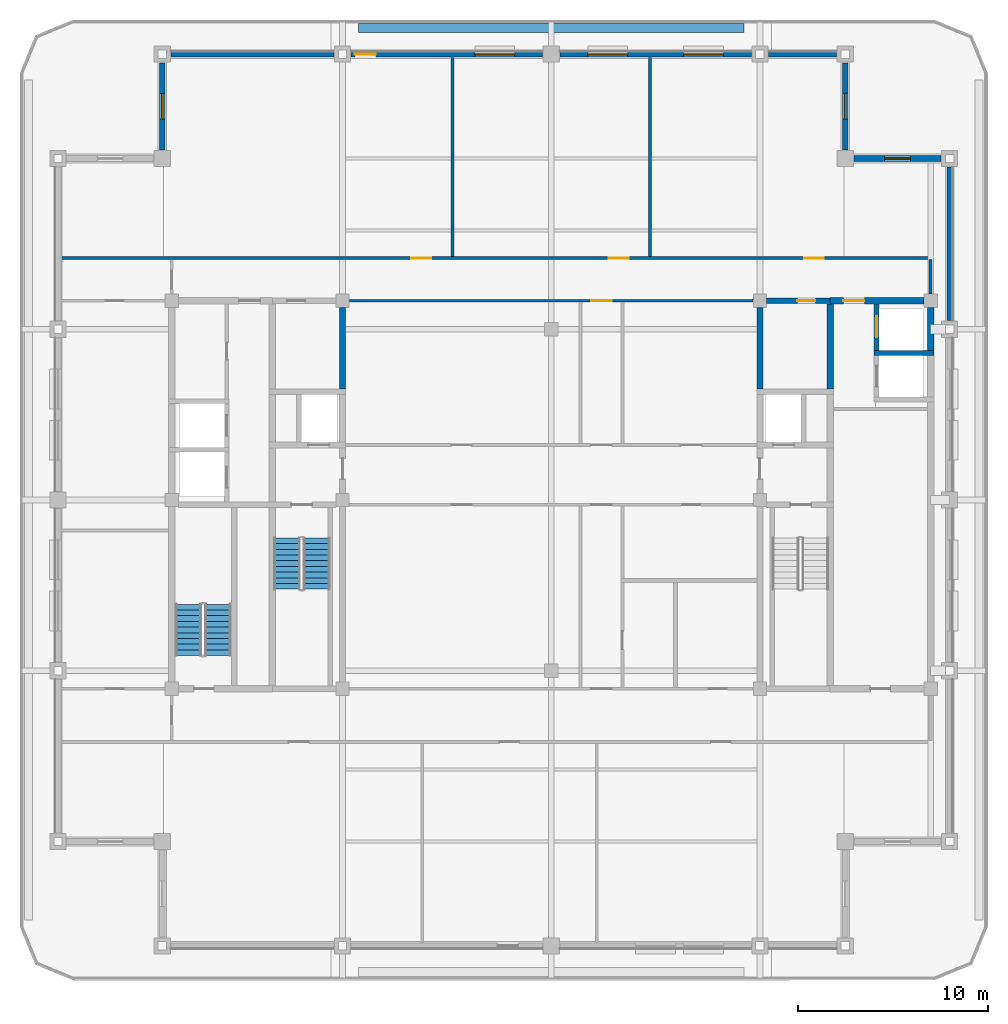
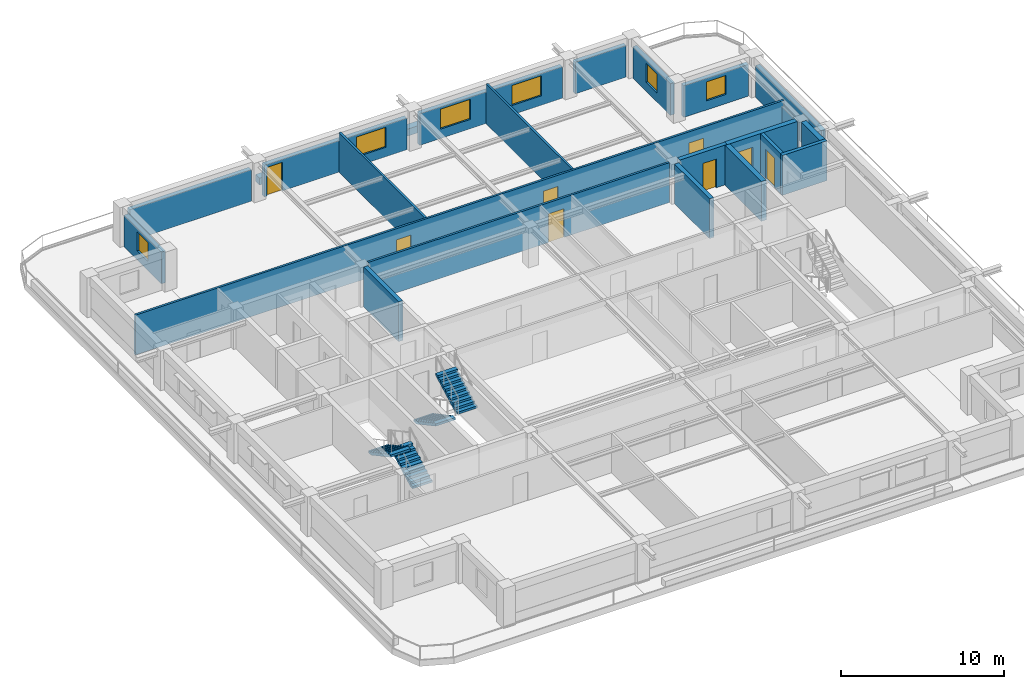
# One storey, part 5 of 11: 22 walls, 8 doors, 6 windows, 4 stair flights, 14 openings, 2 elements without a shape of their own.
"""IFC4 building model written with IfcOpenShell, lengths in metres."""

from ifc_helpers import new_model, si_unit, direction, frame, frame_2d, origin, place, context, subcontext, project, spatial, polyline, rectangle, outline, extrude, material, layer, layer_set, type_object, element, fill, aggregate, save


model = new_model("IFC4")

# Units and contexts
model_context = context("Model", 3, precision=1e-05, world=origin(), true_north=direction((0.0, 1.0)))
body_context = subcontext(model_context, "Body", "Model", "MODEL_VIEW")
ifc_project = project(units=[si_unit("LENGTHUNIT", "METRE"), si_unit("AREAUNIT", "SQUARE_METRE"), si_unit("VOLUMEUNIT", "CUBIC_METRE"), si_unit("PLANEANGLEUNIT", "RADIAN"), si_unit("MASSUNIT", "GRAM", prefix="KILO")], contexts=[model_context])

# Site, building, storey
site_placement = place(None, origin())
site = spatial("IfcSite", under=ifc_project, at=site_placement, CompositionType="ELEMENT")
building_placement = place(site_placement, origin())
building = spatial("IfcBuilding", under=site, at=building_placement, Name="Zulmaris Gate Convention Tower", CompositionType="ELEMENT")
storey_placement = place(building_placement, frame((0.0, 0.0, 264.119873046875)))
storey = spatial("IfcBuildingStorey", under=building, at=storey_placement, Name="L70", CompositionType="ELEMENT", Elevation=264.119873046875)

# Wall
ifc_material_1 = material(Name="Concrete C50/60", Category="concrete")
ifc_layer_1 = layer(ifc_material_1, 0.25, Name="Concrete C50/60")
ifc_layer_set_1 = layer_set([ifc_layer_1], Name="Concrete C50/60")
wall_type_1 = type_object("IfcWallType", Name="CORE-250", PredefinedType="SOLIDWALL", material=ifc_layer_set_1)
wall_1_placement = place(storey_placement, frame((17.02490234375, 7.75, 0.0), z_axis=(0.0, 0.0, 1.0), x_axis=(1.0, 0.0, 0.0)))
element("IfcWall", 1, at=wall_1_placement, inside=storey, type_object=wall_type_1, Name="WL-L70-014", PredefinedType="SOLIDWALL", context=body_context, shape_type="SweptSolid", body=[
    extrude(rectangle(XDim=3.150146484375, YDim=0.25, at=frame_2d((1.5751953125, 0.0))), origin(), (0.0, 0.0, 1.0), 2.980224609375),
])

# Wall, opening, door
wall_2_placement = place(storey_placement, frame((17.14990234375, 7.876953125, 0.0), z_axis=(0.0, 0.0, 1.0), x_axis=(0.0, 1.0, 0.0)))
wall_2 = element("IfcWall", 2, at=wall_2_placement, inside=storey, type_object=wall_type_1, Name="WL-L70-058", PredefinedType="SOLIDWALL", context=body_context, shape_type="SweptSolid", body=[
    extrude(rectangle(XDim=2.446044921875, YDim=0.25, at=frame_2d((1.22314453125, 0.0))), origin(), (0.0, 0.0, 1.0), 2.980224609375),
])
opening_1_placement = place(wall_2_placement, frame((0.697998046875, 0.0, 0.0)))
opening_1 = element("IfcOpeningElement", 3, at=opening_1_placement, cuts=wall_2, Name="Opening D-06", PredefinedType="OPENING", context=body_context, shape_type="SweptSolid", body=[
    extrude(rectangle(XDim=1.10009765625, YDim=2.199951171875, at=frame_2d((0.550048828125, 1.10009765625))), frame((0.0, 0.135009765625, 0.0), z_axis=(0.0, -1.0, 0.0), x_axis=(1.0, 0.0, 0.0)), (0.0, 0.0, 1.0), 0.27001953125),
])
ifc_material_2 = material(Name="Brushed Stainless Steel", Category="steel")
door_type_1 = type_object("IfcDoorType", Name="LD-1100", OperationType="NOTDEFINED", PredefinedType="DOOR", material=ifc_material_2)
door_1_placement = place(opening_1_placement, origin())
door_1 = element("IfcDoor", 4, at=door_1_placement, inside=storey, type_object=door_type_1, Name="L70 Lift Landing Door HP-02 15", OperationType="SLIDING_TO_RIGHT", OverallHeight=2.199951171875, OverallWidth=1.10009765625, PredefinedType="DOOR", context=body_context, shape_type="SweptSolid", body=[
    extrude(rectangle(XDim=1.10009765625, YDim=2.199951171875, at=frame_2d((0.550048828125, 1.10009765625))), frame((0.0, 0.02490234375, 0.0), z_axis=(0.0, -1.0, 0.0), x_axis=(1.0, 0.0, 0.0)), (0.0, 0.0, 1.0), 0.050048828125),
])
fill(opening_1, door_1)

ifc_layer_2 = layer(ifc_material_1, 0.300048828125, Name="Concrete C50/60")
ifc_layer_set_2 = layer_set([ifc_layer_2], Name="Concrete C50/60")
wall_type_2 = type_object("IfcWallType", Name="CORE-300", PredefinedType="SHEAR", material=ifc_layer_set_2)
wall_3_placement = place(storey_placement, frame((11.35400390625, 10.5, 0.0), z_axis=(0.0, 0.0, 1.0), x_axis=(1.0, 0.0, 0.0)))
wall_3 = element("IfcWall", 5, at=wall_3_placement, inside=storey, type_object=wall_type_2, Name="WL-L70-017", PredefinedType="SHEAR", context=body_context, shape_type="SweptSolid", body=[
    extrude(rectangle(XDim=3.345947265625, YDim=0.300048828125, at=frame_2d((1.6728515625, 0.0))), origin(), (0.0, 0.0, 1.0), 2.980224609375),
])
opening_2_placement = place(wall_3_placement, frame((1.62109375, 0.0, 0.0)))
opening_2 = element("IfcOpeningElement", 6, at=opening_2_placement, cuts=wall_3, Name="Opening D-11", PredefinedType="OPENING", context=body_context, shape_type="SweptSolid", body=[
    extrude(rectangle(XDim=0.949951171875, YDim=2.14990234375, at=frame_2d((0.47509765625, 1.074951171875))), frame((0.0, 0.16015625, 0.0), z_axis=(0.0, -1.0, 0.0), x_axis=(1.0, 0.0, 0.0)), (0.0, 0.0, 1.0), 0.320068359375),
])
ifc_material_3 = material(Name="Fire-Rated Timber", Category="wood")
door_type_2 = type_object("IfcDoorType", Name="DR-950-FD", OperationType="NOTDEFINED", PredefinedType="DOOR", material=ifc_material_3)
door_2_placement = place(opening_2_placement, origin())
door_2 = element("IfcDoor", 7, at=door_2_placement, inside=storey, type_object=door_type_2, Name="L70 Core Cleaners Store Door 08", OperationType="SINGLE_SWING_RIGHT", OverallHeight=2.14990234375, OverallWidth=0.949951171875, PredefinedType="DOOR", context=body_context, shape_type="SweptSolid", body=[
    extrude(rectangle(XDim=0.949951171875, YDim=2.14990234375, at=frame_2d((0.47509765625, 1.074951171875))), frame((0.0, 0.02490234375, 0.0), z_axis=(0.0, -1.0, 0.0), x_axis=(1.0, 0.0, 0.0)), (0.0, 0.0, 1.0), 0.050048828125),
])
fill(opening_2, door_2)

# Walls
for number, where, z_axis, x_axis, name in (
    (8, (-11.0, 5.85205078125, 0.0), (0.0, 0.0, 1.0), (0.0, 1.0, 0.0), "WL-L70-046"),
    (9, (11.0, 5.85205078125, 0.0), (0.0, 0.0, 1.0), (0.0, 1.0, 0.0), "WL-L70-050"),
):
    element("IfcWall", number, at=place(storey_placement, frame(where, z_axis=z_axis, x_axis=x_axis)), inside=storey, type_object=wall_type_2, Name=name, PredefinedType="SHEAR", context=body_context, shape_type="SweptSolid", body=[
        extrude(rectangle(XDim=4.2939453125, YDim=0.300048828125, at=frame_2d((2.14697265625, 0.0))), origin(), (0.0, 0.0, 1.0), 2.980224609375),
    ])

# Wall, opening, door
ifc_material_4 = material(Name="Concrete C55/67", Category="concrete")
ifc_layer_3 = layer(ifc_material_4, 0.35009765625, Name="Concrete C55/67")
ifc_layer_set_3 = layer_set([ifc_layer_3], Name="Concrete C55/67")
wall_type_3 = type_object("IfcWallType", Name="CORE-350", PredefinedType="SHEAR", material=ifc_layer_set_3)
wall_4_placement = place(storey_placement, frame((14.699951171875, 10.5, 0.0), z_axis=(0.0, 0.0, 1.0), x_axis=(1.0, 0.0, 0.0)))
wall_4 = element("IfcWall", 10, at=wall_4_placement, inside=storey, type_object=wall_type_3, Name="WL-L70-018", PredefinedType="SHEAR", context=body_context, shape_type="SweptSolid", body=[
    extrude(rectangle(XDim=4.946044921875, YDim=0.35009765625, at=frame_2d((2.47314453125, 0.0))), origin(), (0.0, 0.0, 1.0), 2.980224609375),
])
opening_3_placement = place(wall_4_placement, frame((0.699951171875, 0.0, 0.0)))
opening_3 = element("IfcOpeningElement", 11, at=opening_3_placement, cuts=wall_4, Name="Opening D-08", PredefinedType="OPENING", context=body_context, shape_type="SweptSolid", body=[
    extrude(rectangle(XDim=1.10009765625, YDim=2.14990234375, at=frame_2d((0.550048828125, 1.074951171875))), frame((0.0, 0.18505859375, 0.0), z_axis=(0.0, -1.0, 0.0), x_axis=(1.0, 0.0, 0.0)), (0.0, 0.0, 1.0), 0.3701171875),
])
ifc_material_5 = material(Name="Fire-Rated Steel", Category="steel")
door_type_3 = type_object("IfcDoorType", Name="DR-1100-FD", OperationType="NOTDEFINED", PredefinedType="DOOR", material=ifc_material_5)
door_3_placement = place(opening_3_placement, origin())
door_3 = element("IfcDoor", 12, at=door_3_placement, inside=storey, type_object=door_type_3, Name="L70 High-Rise East Lift Lobby Door 16", OperationType="SINGLE_SWING_RIGHT", OverallHeight=2.14990234375, OverallWidth=1.10009765625, PredefinedType="DOOR", context=body_context, shape_type="SweptSolid", body=[
    extrude(rectangle(XDim=1.10009765625, YDim=2.14990234375, at=frame_2d((0.550048828125, 1.074951171875))), frame((0.0, 0.02490234375, 0.0), z_axis=(0.0, -1.0, 0.0), x_axis=(1.0, 0.0, 0.0)), (0.0, 0.0, 1.0), 0.050048828125),
])
fill(opening_3, door_3)

# Walls
wall_5_placement = place(storey_placement, frame((14.699951171875, 5.85205078125, 0.0), z_axis=(0.0, 0.0, 1.0), x_axis=(0.0, 1.0, 0.0)))
element("IfcWall", 13, at=wall_5_placement, inside=storey, type_object=wall_type_3, Name="WL-L70-056", PredefinedType="SHEAR", context=body_context, shape_type="SweptSolid", body=[
    extrude(rectangle(XDim=4.470947265625, YDim=0.35009765625, at=frame_2d((2.2353515625, 0.0))), origin(), (0.0, 0.0, 1.0), 2.980224609375),
])
wall_6_placement = place(storey_placement, frame((20.0, 7.876953125, 0.0), z_axis=(0.0, 0.0, 1.0), x_axis=(0.0, 1.0, 0.0)))
element("IfcWall", 14, at=wall_6_placement, inside=storey, type_object=wall_type_3, Name="WL-L70-061", PredefinedType="SHEAR", context=body_context, shape_type="SweptSolid", body=[
    extrude(rectangle(XDim=2.26904296875, YDim=0.35009765625, at=frame_2d((1.134521484375, 0.0))), origin(), (0.0, 0.0, 1.0), 2.980224609375),
])

# Wall, opening, door
ifc_material_6 = material(Name="Gypsum Metal Stud Partition")
ifc_layer_4 = layer(ifc_material_6, 0.14990234375, Name="Gypsum Metal Stud Partition")
ifc_layer_set_4 = layer_set([ifc_layer_4], Name="Gypsum Metal Stud Partition")
wall_type_4 = type_object("IfcWallType", Name="PART-150", PredefinedType="PARTITIONING", material=ifc_layer_set_4)
wall_7_placement = place(storey_placement, frame((-10.64404296875, 10.5, 0.0), z_axis=(0.0, 0.0, 1.0), x_axis=(1.0, 0.0, 0.0)))
wall_7 = element("IfcWall", 15, at=wall_7_placement, inside=storey, type_object=wall_type_4, Name="WL-L70-028", PredefinedType="PARTITIONING", context=body_context, shape_type="SweptSolid", body=[
    extrude(rectangle(XDim=21.2880859375, YDim=0.14990234375, at=frame_2d((10.64404296875, 0.0))), origin(), (0.0, 0.0, 1.0), 2.980224609375),
])
opening_4_placement = place(wall_7_placement, frame((12.743896484375, 0.0, 0.0)))
opening_4 = element("IfcOpeningElement", 16, at=opening_4_placement, cuts=wall_7, Name="Opening D-08", PredefinedType="OPENING", context=body_context, shape_type="SweptSolid", body=[
    extrude(rectangle(XDim=1.10009765625, YDim=2.14990234375, at=frame_2d((0.550048828125, 1.074951171875))), frame((0.0, 0.0849609375, 0.0), z_axis=(0.0, -1.0, 0.0), x_axis=(1.0, 0.0, 0.0)), (0.0, 0.0, 1.0), 0.169921875),
])
door_4_placement = place(opening_4_placement, origin())
door_4 = element("IfcDoor", 17, at=door_4_placement, inside=storey, type_object=door_type_3, Name="L70 Exec North Link Door 18", OperationType="SINGLE_SWING_RIGHT", OverallHeight=2.14990234375, OverallWidth=1.10009765625, PredefinedType="DOOR", context=body_context, shape_type="SweptSolid", body=[
    extrude(rectangle(XDim=1.10009765625, YDim=2.14990234375, at=frame_2d((0.550048828125, 1.074951171875))), frame((0.0, 0.02490234375, 0.0), z_axis=(0.0, -1.0, 0.0), x_axis=(1.0, 0.0, 0.0)), (0.0, 0.0, 1.0), 0.050048828125),
])
fill(opening_4, door_4)

# Wall, openings, doors
wall_8_placement = place(storey_placement, frame((-25.8349609375, 12.75, 0.0), z_axis=(0.0, 0.0, 1.0), x_axis=(1.0, 0.0, 0.0)))
wall_8 = element("IfcWall", 18, at=wall_8_placement, inside=storey, type_object=wall_type_4, Name="WL-L70-029", PredefinedType="PARTITIONING", context=body_context, shape_type="SweptSolid", body=[
    extrude(rectangle(XDim=45.909912109375, YDim=0.14990234375, at=frame_2d((22.955078125, 0.0))), origin(), (0.0, 0.0, 1.0), 2.980224609375),
])
opening_5_placement = place(wall_8_placement, frame((18.4599609375, 0.0, 0.0)))
opening_5 = element("IfcOpeningElement", 19, at=opening_5_placement, cuts=wall_8, Name="Opening D-09", PredefinedType="OPENING", context=body_context, shape_type="SweptSolid", body=[
    extrude(rectangle(XDim=1.050048828125, YDim=2.14990234375, at=frame_2d((0.52490234375, 1.074951171875))), frame((0.0, 0.0849609375, 0.0), z_axis=(0.0, -1.0, 0.0), x_axis=(1.0, 0.0, 0.0)), (0.0, 0.0, 1.0), 0.169921875),
])
opening_6_placement = place(wall_8_placement, frame((28.860107421875, 0.0, 0.0)))
opening_6 = element("IfcOpeningElement", 20, at=opening_6_placement, cuts=wall_8, Name="Opening D-09", PredefinedType="OPENING", context=body_context, shape_type="SweptSolid", body=[
    extrude(rectangle(XDim=1.050048828125, YDim=2.14990234375, at=frame_2d((0.52490234375, 1.074951171875))), frame((0.0, 0.0849609375, 0.0), z_axis=(0.0, -1.0, 0.0), x_axis=(1.0, 0.0, 0.0)), (0.0, 0.0, 1.0), 0.169921875),
])
opening_7_placement = place(wall_8_placement, frame((39.159912109375, 0.0, 0.0)))
opening_7 = element("IfcOpeningElement", 21, at=opening_7_placement, cuts=wall_8, Name="Opening D-09", PredefinedType="OPENING", context=body_context, shape_type="SweptSolid", body=[
    extrude(rectangle(XDim=1.050048828125, YDim=2.14990234375, at=frame_2d((0.52490234375, 1.074951171875))), frame((0.0, 0.0849609375, 0.0), z_axis=(0.0, -1.0, 0.0), x_axis=(1.0, 0.0, 0.0)), (0.0, 0.0, 1.0), 0.169921875),
])
door_type_4 = type_object("IfcDoorType", Name="DR-1050-FD", OperationType="NOTDEFINED", PredefinedType="DOOR", material=ifc_material_5)
door_5_placement = place(opening_5_placement, origin())
door_5 = element("IfcDoor", 22, at=door_5_placement, inside=storey, type_object=door_type_4, Name="L70 Executive Boardroom Door 22", OperationType="SINGLE_SWING_RIGHT", OverallHeight=2.14990234375, OverallWidth=1.050048828125, PredefinedType="DOOR", context=body_context, shape_type="SweptSolid", body=[
    extrude(rectangle(XDim=1.050048828125, YDim=2.14990234375, at=frame_2d((0.52490234375, 1.074951171875))), frame((0.0, 0.02490234375, 0.0), z_axis=(0.0, -1.0, 0.0), x_axis=(1.0, 0.0, 0.0)), (0.0, 0.0, 1.0), 0.050048828125),
])
fill(opening_5, door_5)
door_6_placement = place(opening_6_placement, origin())
door_6 = element("IfcDoor", 23, at=door_6_placement, inside=storey, type_object=door_type_4, Name="L70 Corporate Strategy Office Door 23", OperationType="SINGLE_SWING_LEFT", OverallHeight=2.14990234375, OverallWidth=1.050048828125, PredefinedType="DOOR", context=body_context, shape_type="SweptSolid", body=[
    extrude(rectangle(XDim=1.050048828125, YDim=2.14990234375, at=frame_2d((0.52490234375, 1.074951171875))), frame((0.0, 0.02490234375, 0.0), z_axis=(0.0, -1.0, 0.0), x_axis=(1.0, 0.0, 0.0)), (0.0, 0.0, 1.0), 0.050048828125),
])
fill(opening_6, door_6)
door_7_placement = place(opening_7_placement, origin())
door_7 = element("IfcDoor", 24, at=door_7_placement, inside=storey, type_object=door_type_4, Name="L70 Project Advisory Studio Door 24", OperationType="SINGLE_SWING_RIGHT", OverallHeight=2.14990234375, OverallWidth=1.050048828125, PredefinedType="DOOR", context=body_context, shape_type="SweptSolid", body=[
    extrude(rectangle(XDim=1.050048828125, YDim=2.14990234375, at=frame_2d((0.52490234375, 1.074951171875))), frame((0.0, 0.02490234375, 0.0), z_axis=(0.0, -1.0, 0.0), x_axis=(1.0, 0.0, 0.0)), (0.0, 0.0, 1.0), 0.050048828125),
])
fill(opening_7, door_7)

# Walls
for number, where, z_axis, x_axis, name in (
    (25, (-5.199951171875, 12.827880859375, 0.0), (0.0, 0.0, 1.0), (0.0, 1.0, 0.0), "WL-L70-066"),
    (26, (5.199951171875, 12.827880859375, 0.0), (0.0, 0.0, 1.0), (0.0, 1.0, 0.0), "WL-L70-073"),
):
    element("IfcWall", number, at=place(storey_placement, frame(where, z_axis=z_axis, x_axis=x_axis)), inside=storey, type_object=wall_type_4, Name=name, PredefinedType="PARTITIONING", context=body_context, shape_type="SweptSolid", body=[
        extrude(rectangle(XDim=10.507080078125, YDim=0.14990234375, at=frame_2d((5.25341796875, 0.0))), origin(), (0.0, 0.0, 1.0), 2.980224609375),
    ])
wall_9_placement = place(storey_placement, frame((20.0, 10.85595703125, 0.0), z_axis=(0.0, 0.0, 1.0), x_axis=(0.0, 1.0, 0.0)))
element("IfcWall", 27, at=wall_9_placement, inside=storey, type_object=wall_type_4, Name="WL-L70-076", PredefinedType="PARTITIONING", context=body_context, shape_type="SweptSolid", body=[
    extrude(rectangle(XDim=1.816162109375, YDim=0.14990234375, at=frame_2d((0.908203125, 0.0))), origin(), (0.0, 0.0, 1.0), 2.5703125),
])
ifc_material_7 = material(Name="Botanical Green Glazed Precast Concrete C40/50", Category="concrete")
ifc_layer_5 = layer(ifc_material_7, 0.419921875, Name="Botanical Green Glazed Precast Concrete C40/50")
ifc_layer_set_5 = layer_set([ifc_layer_5], Name="Botanical Green Glazed Precast Concrete C40/50")
wall_type_5 = type_object("IfcWallType", Name="PLANTER-CURB-200", PredefinedType="PARAPET", material=ifc_layer_set_5)
wall_10_placement = place(storey_placement, frame((-10.14990234375, 24.8798828125, -0.0400390625), z_axis=(0.0, 0.0, 1.0), x_axis=(1.0, 0.0, 0.0)))
element("IfcWall", 28, at=wall_10_placement, inside=storey, type_object=wall_type_5, Name="L70 Full-Length Balcony Tree Planter Trough", PredefinedType="PARAPET", context=body_context, shape_type="SweptSolid", body=[
    extrude(rectangle(XDim=20.2998046875, YDim=0.47998046875, at=frame_2d((10.14990234375, 0.0))), origin(), (0.0, 0.0, 1.0), 0.52001953125),
])

# Wall, opening, window
ifc_material_8 = material(Name="Precast concrete C40/50", Category="concrete")
ifc_layer_6 = layer(ifc_material_8, 0.300048828125, Name="Precast concrete C40/50")
ifc_layer_set_6 = layer_set([ifc_layer_6], Name="Precast concrete C40/50")
wall_type_6 = type_object("IfcWallType", Name="PRECAST-PIER-300", PredefinedType="STANDARD", material=ifc_layer_set_6)
wall_11_placement = place(storey_placement, frame((20.544921875, 18.0, 0.0), z_axis=(0.0, 0.0, 1.0), x_axis=(-1.0, 0.0, 0.0)))
wall_11 = element("IfcWall", 29, at=wall_11_placement, inside=storey, type_object=wall_type_6, Name="EW-L70-NOTCH-NE1_0", PredefinedType="STANDARD", context=body_context, shape_type="SweptSolid", body=[
    extrude(rectangle(XDim=4.58984375, YDim=0.300048828125, at=frame_2d((2.294921875, 0.0))), origin(), (0.0, 0.0, 1.0), 2.372314453125),
])
opening_8_placement = place(wall_11_placement, frame((1.6201171875, 0.0, 0.679931640625)))
opening_8 = element("IfcOpeningElement", 30, at=opening_8_placement, cuts=wall_11, Name="Opening W-10", PredefinedType="OPENING", context=body_context, shape_type="SweptSolid", body=[
    extrude(rectangle(XDim=1.35009765625, YDim=1.419921875, at=frame_2d((0.675048828125, 0.7099609375))), frame((0.0, 0.16015625, 0.0), z_axis=(0.0, -1.0, 0.0), x_axis=(1.0, 0.0, 0.0)), (0.0, 0.0, 1.0), 0.320068359375),
])
ifc_material_9 = material(Name="Low-E Laminated Double Glazing in Aluminium Frame", Category="aluminium")
window_type_1 = type_object("IfcWindowType", Name="WIN-1350x2000", PartitioningType="SINGLE_PANEL", PredefinedType="WINDOW", material=ifc_material_9)
window_1_placement = place(opening_8_placement, origin())
window_1 = element("IfcWindow", 31, at=window_1_placement, inside=storey, type_object=window_type_1, Name="WN-EW-L70-NOTCH-NE1_0", OverallHeight=1.419921875, OverallWidth=1.35009765625, PartitioningType="SINGLE_PANEL", PredefinedType="WINDOW", context=body_context, shape_type="SweptSolid", body=[
    extrude(rectangle(XDim=1.35009765625, YDim=1.419921875, at=frame_2d((0.675048828125, 0.7099609375))), frame((0.0, 0.030029296875, 0.0), z_axis=(0.0, -1.0, 0.0), x_axis=(1.0, 0.0, 0.0)), (0.0, 0.0, 1.0), 0.06005859375),
])
fill(opening_8, window_1)

wall_12_placement = place(storey_placement, frame((15.5, 18.455078125, 0.0), z_axis=(0.0, 0.0, 1.0), x_axis=(0.0, 1.0, 0.0)))
wall_12 = element("IfcWall", 32, at=wall_12_placement, inside=storey, type_object=wall_type_6, Name="EW-L70-NOTCH-NE2_0", PredefinedType="STANDARD", context=body_context, shape_type="SweptSolid", body=[
    extrude(rectangle(XDim=4.58984375, YDim=0.300048828125, at=frame_2d((2.294921875, 0.0))), origin(), (0.0, 0.0, 1.0), 2.372314453125),
])
opening_9_placement = place(wall_12_placement, frame((1.6201171875, 0.0, 0.679931640625)))
opening_9 = element("IfcOpeningElement", 33, at=opening_9_placement, cuts=wall_12, Name="Opening W-10", PredefinedType="OPENING", context=body_context, shape_type="SweptSolid", body=[
    extrude(rectangle(XDim=1.35009765625, YDim=1.419921875, at=frame_2d((0.675048828125, 0.7099609375))), frame((0.0, 0.16015625, 0.0), z_axis=(0.0, -1.0, 0.0), x_axis=(1.0, 0.0, 0.0)), (0.0, 0.0, 1.0), 0.320068359375),
])
window_2_placement = place(opening_9_placement, origin())
window_2 = element("IfcWindow", 34, at=window_2_placement, inside=storey, type_object=window_type_1, Name="WN-EW-L70-NOTCH-NE2_0", OverallHeight=1.419921875, OverallWidth=1.35009765625, PartitioningType="SINGLE_PANEL", PredefinedType="WINDOW", context=body_context, shape_type="SweptSolid", body=[
    extrude(rectangle(XDim=1.35009765625, YDim=1.419921875, at=frame_2d((0.675048828125, 0.7099609375))), frame((0.0, 0.030029296875, 0.0), z_axis=(0.0, -1.0, 0.0), x_axis=(1.0, 0.0, 0.0)), (0.0, 0.0, 1.0), 0.06005859375),
])
fill(opening_9, window_2)

wall_13_placement = place(storey_placement, frame((-20.5, 23.044921875, 0.0), z_axis=(0.0, 0.0, 1.0), x_axis=(0.0, -1.0, 0.0)))
wall_13 = element("IfcWall", 35, at=wall_13_placement, inside=storey, type_object=wall_type_6, Name="EW-L70-NOTCH-NW1_0", PredefinedType="STANDARD", context=body_context, shape_type="SweptSolid", body=[
    extrude(rectangle(XDim=4.58984375, YDim=0.300048828125, at=frame_2d((2.294921875, 0.0))), origin(), (0.0, 0.0, 1.0), 2.372314453125),
])
opening_10_placement = place(wall_13_placement, frame((1.6201171875, 0.0, 0.679931640625)))
opening_10 = element("IfcOpeningElement", 36, at=opening_10_placement, cuts=wall_13, Name="Opening W-10", PredefinedType="OPENING", context=body_context, shape_type="SweptSolid", body=[
    extrude(rectangle(XDim=1.35009765625, YDim=1.419921875, at=frame_2d((0.675048828125, 0.7099609375))), frame((0.0, 0.16015625, 0.0), z_axis=(0.0, -1.0, 0.0), x_axis=(1.0, 0.0, 0.0)), (0.0, 0.0, 1.0), 0.320068359375),
])
window_3_placement = place(opening_10_placement, origin())
window_3 = element("IfcWindow", 37, at=window_3_placement, inside=storey, type_object=window_type_1, Name="WN-EW-L70-NOTCH-NW1_0", OverallHeight=1.419921875, OverallWidth=1.35009765625, PartitioningType="SINGLE_PANEL", PredefinedType="WINDOW", context=body_context, shape_type="SweptSolid", body=[
    extrude(rectangle(XDim=1.35009765625, YDim=1.419921875, at=frame_2d((0.675048828125, 0.7099609375))), frame((0.0, 0.030029296875, 0.0), z_axis=(0.0, -1.0, 0.0), x_axis=(1.0, 0.0, 0.0)), (0.0, 0.0, 1.0), 0.06005859375),
])
fill(opening_10, window_3)

# Wall
wall_14_placement = place(storey_placement, frame((-11.455078125, 23.5, 0.0), z_axis=(0.0, 0.0, 1.0), x_axis=(-1.0, 0.0, 0.0)))
element("IfcWall", 38, at=wall_14_placement, inside=storey, type_object=wall_type_6, Name="EW-L70-N-0_0", PredefinedType="STANDARD", context=body_context, shape_type="SweptSolid", body=[
    extrude(rectangle(XDim=8.58984375, YDim=0.300048828125, at=frame_2d((4.294921875, 0.0))), origin(), (0.0, 0.0, 1.0), 2.372314453125),
])

# Wall, openings, door, window
wall_15_placement = place(storey_placement, frame((-0.455078125, 23.5, 0.0), z_axis=(0.0, 0.0, 1.0), x_axis=(-1.0, 0.0, 0.0)))
wall_15 = element("IfcWall", 39, at=wall_15_placement, inside=storey, type_object=wall_type_6, Name="EW-L70-N-1_0", PredefinedType="STANDARD", context=body_context, shape_type="SweptSolid", body=[
    extrude(rectangle(XDim=10.08984375, YDim=0.300048828125, at=frame_2d((5.044921875, 0.0))), origin(), (0.0, 0.0, 1.0), 2.372314453125),
])
opening_11_placement = place(wall_15_placement, frame((8.7900390625, 0.0, 0.0)))
opening_11 = element("IfcOpeningElement", 40, at=opening_11_placement, cuts=wall_15, Name="Opening D-04", PredefinedType="OPENING", context=body_context, shape_type="SweptSolid", body=[
    extrude(rectangle(XDim=1.10009765625, YDim=2.14990234375, at=frame_2d((0.550048828125, 1.074951171875))), frame((0.0, 0.16015625, 0.0), z_axis=(0.0, -1.0, 0.0), x_axis=(1.0, 0.0, 0.0)), (0.0, 0.0, 1.0), 0.320068359375),
])
opening_12_placement = place(wall_15_placement, frame((1.471923828125, 0.0, 0.699951171875)))
opening_12 = element("IfcOpeningElement", 41, at=opening_12_placement, cuts=wall_15, Name="Opening W-05", PredefinedType="OPENING", context=body_context, shape_type="SweptSolid", body=[
    extrude(rectangle(XDim=2.10009765625, YDim=1.5, at=frame_2d((1.050048828125, 0.75))), frame((0.0, 0.16015625, 0.0), z_axis=(0.0, -1.0, 0.0), x_axis=(1.0, 0.0, 0.0)), (0.0, 0.0, 1.0), 0.320068359375),
])
ifc_material_10 = material(Name="Anodised Aluminium and Laminated Glass", Category="aluminium")
door_type_5 = type_object("IfcDoorType", Name="ED-1100", OperationType="SINGLE_SWING_RIGHT", PredefinedType="DOOR", material=ifc_material_10)
door_8_placement = place(opening_11_placement, origin())
door_8 = element("IfcDoor", 42, at=door_8_placement, inside=storey, type_object=door_type_5, Name="L70 N Planted Terrace Door", OperationType="SINGLE_SWING_LEFT", OverallHeight=2.14990234375, OverallWidth=1.10009765625, PredefinedType="DOOR", context=body_context, shape_type="SweptSolid", body=[
    extrude(rectangle(XDim=1.10009765625, YDim=2.14990234375, at=frame_2d((0.550048828125, 1.074951171875))), frame((0.0, 0.02490234375, 0.0), z_axis=(0.0, -1.0, 0.0), x_axis=(1.0, 0.0, 0.0)), (0.0, 0.0, 1.0), 0.050048828125),
])
fill(opening_11, door_8)
window_type_2 = type_object("IfcWindowType", Name="WIN-2100x2400", PartitioningType="SINGLE_PANEL", PredefinedType="WINDOW", material=ifc_material_9)
window_4_placement = place(opening_12_placement, origin())
window_4 = element("IfcWindow", 43, at=window_4_placement, inside=storey, type_object=window_type_2, Name="WN-EW-L70-N-1_0-1", OverallHeight=1.5, OverallWidth=2.10009765625, PartitioningType="SINGLE_PANEL", PredefinedType="WINDOW", context=body_context, shape_type="SweptSolid", body=[
    extrude(rectangle(XDim=2.10009765625, YDim=1.5, at=frame_2d((1.050048828125, 0.75))), frame((0.0, 0.030029296875, 0.0), z_axis=(0.0, -1.0, 0.0), x_axis=(1.0, 0.0, 0.0)), (0.0, 0.0, 1.0), 0.06005859375),
])
fill(opening_12, window_4)

# Wall, openings, windows
wall_16_placement = place(storey_placement, frame((10.544921875, 23.5, 0.0), z_axis=(0.0, 0.0, 1.0), x_axis=(-1.0, 0.0, 0.0)))
wall_16 = element("IfcWall", 44, at=wall_16_placement, inside=storey, type_object=wall_type_6, Name="EW-L70-N-2_0", PredefinedType="STANDARD", context=body_context, shape_type="SweptSolid", body=[
    extrude(rectangle(XDim=10.08984375, YDim=0.300048828125, at=frame_2d((5.044921875, 0.0))), origin(), (0.0, 0.0, 1.0), 2.372314453125),
])
opening_13_placement = place(wall_16_placement, frame((1.471923828125, 0.0, 0.699951171875)))
opening_13 = element("IfcOpeningElement", 45, at=opening_13_placement, cuts=wall_16, Name="Opening W-05", PredefinedType="OPENING", context=body_context, shape_type="SweptSolid", body=[
    extrude(rectangle(XDim=2.10009765625, YDim=1.5, at=frame_2d((1.050048828125, 0.75))), frame((0.0, 0.16015625, 0.0), z_axis=(0.0, -1.0, 0.0), x_axis=(1.0, 0.0, 0.0)), (0.0, 0.0, 1.0), 0.320068359375),
])
opening_14_placement = place(wall_16_placement, frame((6.51806640625, 0.0, 0.699951171875)))
opening_14 = element("IfcOpeningElement", 46, at=opening_14_placement, cuts=wall_16, Name="Opening W-05", PredefinedType="OPENING", context=body_context, shape_type="SweptSolid", body=[
    extrude(rectangle(XDim=2.10009765625, YDim=1.5, at=frame_2d((1.050048828125, 0.75))), frame((0.0, 0.16015625, 0.0), z_axis=(0.0, -1.0, 0.0), x_axis=(1.0, 0.0, 0.0)), (0.0, 0.0, 1.0), 0.320068359375),
])
window_5_placement = place(opening_13_placement, origin())
window_5 = element("IfcWindow", 47, at=window_5_placement, inside=storey, type_object=window_type_2, Name="WN-EW-L70-N-2_0-1", OverallHeight=1.5, OverallWidth=2.10009765625, PartitioningType="SINGLE_PANEL", PredefinedType="WINDOW", context=body_context, shape_type="SweptSolid", body=[
    extrude(rectangle(XDim=2.10009765625, YDim=1.5, at=frame_2d((1.050048828125, 0.75))), frame((0.0, 0.030029296875, 0.0), z_axis=(0.0, -1.0, 0.0), x_axis=(1.0, 0.0, 0.0)), (0.0, 0.0, 1.0), 0.06005859375),
])
fill(opening_13, window_5)
window_6_placement = place(opening_14_placement, origin())
window_6 = element("IfcWindow", 48, at=window_6_placement, inside=storey, type_object=window_type_2, Name="WN-EW-L70-N-2_0-3", OverallHeight=1.5, OverallWidth=2.10009765625, PartitioningType="SINGLE_PANEL", PredefinedType="WINDOW", context=body_context, shape_type="SweptSolid", body=[
    extrude(rectangle(XDim=2.10009765625, YDim=1.5, at=frame_2d((1.050048828125, 0.75))), frame((0.0, 0.030029296875, 0.0), z_axis=(0.0, -1.0, 0.0), x_axis=(1.0, 0.0, 0.0)), (0.0, 0.0, 1.0), 0.06005859375),
])
fill(opening_14, window_6)

# Walls
wall_17_placement = place(storey_placement, frame((15.044921875, 23.5, 0.0), z_axis=(0.0, 0.0, 1.0), x_axis=(-1.0, 0.0, 0.0)))
element("IfcWall", 49, at=wall_17_placement, inside=storey, type_object=wall_type_6, Name="EW-L70-N-3_0", PredefinedType="STANDARD", context=body_context, shape_type="SweptSolid", body=[
    extrude(rectangle(XDim=3.58984375, YDim=0.300048828125, at=frame_2d((1.794921875, 0.0))), origin(), (0.0, 0.0, 1.0), 2.372314453125),
])
wall_18_placement = place(storey_placement, frame((21.0, 9.455078125, 0.0), z_axis=(0.0, 0.0, 1.0), x_axis=(0.0, 1.0, 0.0)))
element("IfcWall", 50, at=wall_18_placement, inside=storey, type_object=wall_type_6, Name="EW-L70-E-3_0", PredefinedType="STANDARD", context=body_context, shape_type="SweptSolid", body=[
    extrude(rectangle(XDim=8.08984375, YDim=0.300048828125, at=frame_2d((4.044921875, 0.0))), origin(), (0.0, 0.0, 1.0), 2.372314453125),
])

# Stair, stair flights
ifc_material_11 = material(Name="Concrete C45/55", Category="concrete")
stair_type = type_object("IfcStairType", Name="ST-CORE-DOGLEG", PredefinedType="HALF_TURN_STAIR", material=ifc_material_11)
stair_1_placement = place(storey_placement, origin())
stair_1 = element("IfcStair", 51, at=stair_1_placement, inside=storey, type_object=stair_type, Name="L70 Core Exit Stair ST-1", PredefinedType="HALF_TURN_STAIR")
ifc_layer_7 = layer(ifc_material_11, 0.14990234375, Name="Concrete C45/55")
ifc_layer_set_7 = layer_set([ifc_layer_7], Name="Concrete C45/55")
stair_flight_type = type_object("IfcStairFlightType", Name="STF-RC150", PredefinedType="STRAIGHT", material=ifc_layer_set_7)
stair_flight_1_placement = place(storey_placement, frame((-13.919921875, -2.0, 0.0), z_axis=(0.0, 0.0, 1.0), x_axis=(0.0, -1.0, 0.0)))
stair_flight_1 = element("IfcStairFlight", 52, at=stair_flight_1_placement, type_object=stair_flight_type, Name="ST-1 flight 1", NumberOfRisers=10, NumberOfTreads=9, PredefinedType="STRAIGHT", RiserHeight=0.16151, TreadLength=0.3, context=body_context, shape_type="SweptSolid", body=[
    extrude(outline(polyline([(0.0, 0.0), (0.0, 0.16162109375), (0.300048828125, 0.16162109375), (0.300048828125, 0.322998046875), (0.60009765625, 0.322998046875), (0.60009765625, 0.484619140625), (0.89990234375, 0.484619140625), (0.89990234375, 0.64599609375), (1.199951171875, 0.64599609375), (1.199951171875, 0.8076171875), (1.5, 0.8076171875), (1.5, 0.968994140625), (1.800048828125, 0.968994140625), (1.800048828125, 1.130615234375), (2.10009765625, 1.130615234375), (2.10009765625, 1.2919921875), (2.39990234375, 1.2919921875), (2.39990234375, 1.45361328125), (2.699951171875, 1.45361328125), (2.699951171875, 1.614990234375), (2.699951171875, 1.283447265625), (0.316162109375, 0.0), (0.0, 0.0)])), frame((0.0, 0.699951171875, 0.0), z_axis=(0.0, -1.0, 0.0), x_axis=(1.0, 0.0, 0.0)), (0.0, 0.0, 1.0), 1.39990234375),
])
stair_flight_2_placement = place(storey_placement, frame((-12.360107421875, -4.699951171875, 1.615234375), z_axis=(0.0, 0.0, 1.0), x_axis=(0.0, 1.0, 0.0)))
stair_flight_2 = element("IfcStairFlight", 53, at=stair_flight_2_placement, type_object=stair_flight_type, Name="ST-1 flight 2", NumberOfRisers=10, NumberOfTreads=9, PredefinedType="STRAIGHT", RiserHeight=0.16151, TreadLength=0.3, context=body_context, shape_type="SweptSolid", body=[
    extrude(outline(polyline([(0.0, 0.0), (0.0, 0.16162109375), (0.300048828125, 0.16162109375), (0.300048828125, 0.322998046875), (0.60009765625, 0.322998046875), (0.60009765625, 0.484619140625), (0.89990234375, 0.484619140625), (0.89990234375, 0.64599609375), (1.199951171875, 0.64599609375), (1.199951171875, 0.8076171875), (1.5, 0.8076171875), (1.5, 0.968994140625), (1.800048828125, 0.968994140625), (1.800048828125, 1.130615234375), (2.10009765625, 1.130615234375), (2.10009765625, 1.2919921875), (2.39990234375, 1.2919921875), (2.39990234375, 1.45361328125), (2.699951171875, 1.45361328125), (2.699951171875, 1.614990234375), (2.699951171875, 1.283447265625), (0.316162109375, 0.0), (0.0, 0.0)])), frame((0.0, 0.699951171875, 0.0), z_axis=(0.0, -1.0, 0.0), x_axis=(1.0, 0.0, 0.0)), (0.0, 0.0, 1.0), 1.39990234375),
])
aggregate(stair_1, [stair_flight_1, stair_flight_2])

stair_2_placement = place(storey_placement, origin())
stair_2 = element("IfcStair", 54, at=stair_2_placement, inside=storey, type_object=stair_type, Name="L70 Core Exit Stair ST-3", PredefinedType="HALF_TURN_STAIR")
stair_flight_3_placement = place(storey_placement, frame((-17.56005859375, -8.199951171875, 0.0), z_axis=(0.0, 0.0, 1.0), x_axis=(0.0, 1.0, 0.0)))
stair_flight_3 = element("IfcStairFlight", 55, at=stair_flight_3_placement, type_object=stair_flight_type, Name="ST-3 flight 1", NumberOfRisers=10, NumberOfTreads=9, PredefinedType="STRAIGHT", RiserHeight=0.16151, TreadLength=0.3, context=body_context, shape_type="SweptSolid", body=[
    extrude(outline(polyline([(0.0, 0.0), (0.0, 0.16162109375), (0.300048828125, 0.16162109375), (0.300048828125, 0.322998046875), (0.60009765625, 0.322998046875), (0.60009765625, 0.484619140625), (0.89990234375, 0.484619140625), (0.89990234375, 0.64599609375), (1.199951171875, 0.64599609375), (1.199951171875, 0.8076171875), (1.5, 0.8076171875), (1.5, 0.968994140625), (1.800048828125, 0.968994140625), (1.800048828125, 1.130615234375), (2.10009765625, 1.130615234375), (2.10009765625, 1.2919921875), (2.39990234375, 1.2919921875), (2.39990234375, 1.45361328125), (2.699951171875, 1.45361328125), (2.699951171875, 1.614990234375), (2.699951171875, 1.283447265625), (0.316162109375, 0.0), (0.0, 0.0)])), frame((0.0, 0.699951171875, 0.0), z_axis=(0.0, -1.0, 0.0), x_axis=(1.0, 0.0, 0.0)), (0.0, 0.0, 1.0), 1.39990234375),
])
stair_flight_4_placement = place(storey_placement, frame((-19.1201171875, -5.5, 1.615234375), z_axis=(0.0, 0.0, 1.0), x_axis=(0.0, -1.0, 0.0)))
stair_flight_4 = element("IfcStairFlight", 56, at=stair_flight_4_placement, type_object=stair_flight_type, Name="ST-3 flight 2", NumberOfRisers=10, NumberOfTreads=9, PredefinedType="STRAIGHT", RiserHeight=0.16151, TreadLength=0.3, context=body_context, shape_type="SweptSolid", body=[
    extrude(outline(polyline([(0.0, 0.0), (0.0, 0.16162109375), (0.300048828125, 0.16162109375), (0.300048828125, 0.322998046875), (0.60009765625, 0.322998046875), (0.60009765625, 0.484619140625), (0.89990234375, 0.484619140625), (0.89990234375, 0.64599609375), (1.199951171875, 0.64599609375), (1.199951171875, 0.8076171875), (1.5, 0.8076171875), (1.5, 0.968994140625), (1.800048828125, 0.968994140625), (1.800048828125, 1.130615234375), (2.10009765625, 1.130615234375), (2.10009765625, 1.2919921875), (2.39990234375, 1.2919921875), (2.39990234375, 1.45361328125), (2.699951171875, 1.45361328125), (2.699951171875, 1.614990234375), (2.699951171875, 1.283447265625), (0.316162109375, 0.0), (0.0, 0.0)])), frame((0.0, 0.699951171875, 0.0), z_axis=(0.0, -1.0, 0.0), x_axis=(1.0, 0.0, 0.0)), (0.0, 0.0, 1.0), 1.39990234375),
])
aggregate(stair_2, [stair_flight_3, stair_flight_4])

save(model, "model.ifc")
